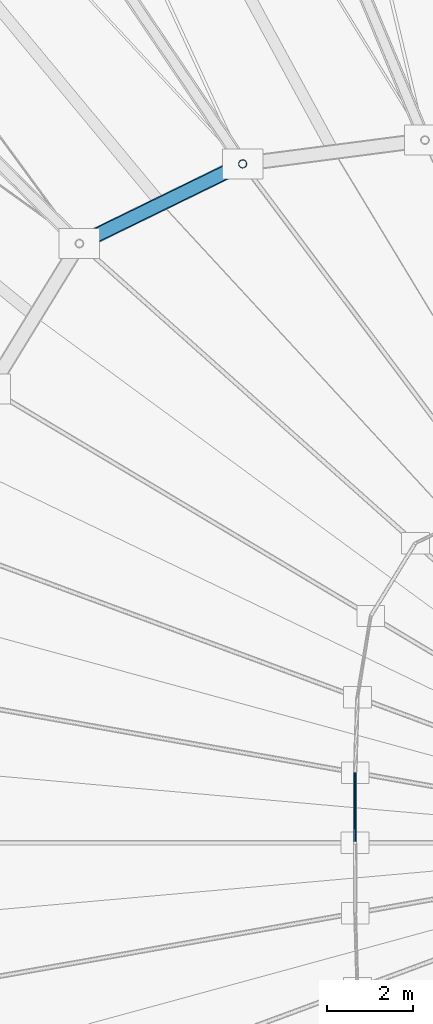
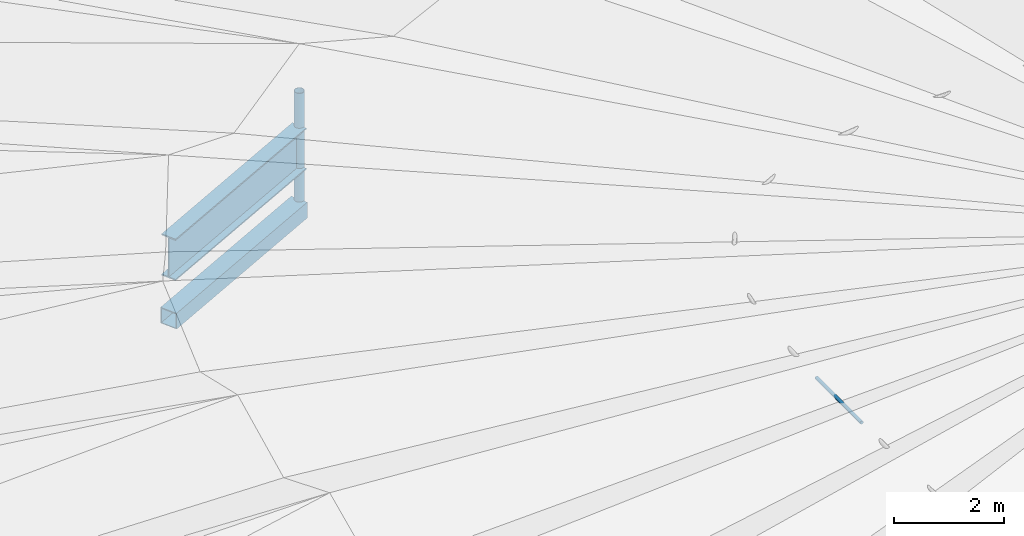
# One storey, part 12 of 41: 3 members, 1 beam.
"""IFC4 building model written with IfcOpenShell, lengths in metres."""

from ifc_helpers import new_model, si_unit, direction, frame, origin, origin_2d, place, context, subcontext, project, spatial, hollow_rectangle, circle, hollow_circle, i_section, extrude, material, material_profile, profile_set, type_object, element, save


model = new_model("IFC4")

# Units and contexts
model_context = context("Model", 3, precision=1e-05, world=origin(), true_north=direction((0.0, 1.0)))
body_context = subcontext(model_context, "Body", "Model", "MODEL_VIEW")
ifc_project = project(units=[si_unit("LENGTHUNIT", "METRE"), si_unit("AREAUNIT", "SQUARE_METRE"), si_unit("VOLUMEUNIT", "CUBIC_METRE"), si_unit("PLANEANGLEUNIT", "RADIAN"), si_unit("MASSUNIT", "GRAM", prefix="KILO")], contexts=[model_context])

# Site, building, storey
site_placement = place(None, origin())
site = spatial("IfcSite", under=ifc_project, at=site_placement, CompositionType="ELEMENT")
building_placement = place(site_placement, origin())
building = spatial("IfcBuilding", under=site, at=building_placement, Name="Luwafu Chhajja Arena", CompositionType="ELEMENT")
storey_placement = place(building_placement, frame((0.0, 0.0, 29.699951171875)))
storey = spatial("IfcBuildingStorey", under=building, at=storey_placement, Name="RF", CompositionType="ELEMENT", Elevation=29.699951171875)

# Member
ifc_material_1 = material(Name="Steel S355", Category="steel")
ifc_material_profile_1 = material_profile(ifc_material_1, hollow_circle(Radius=0.096923828125, WallThickness=0.008056640625, at=origin_2d()), Name="CHS 193.7x8")
ifc_profile_set_1 = profile_set([ifc_material_profile_1], Name="Steel S355")
member_type_1 = type_object("IfcMemberType", Name="Folded Pleat Tie Strut CHS 194", PredefinedType="BRACE", material=ifc_profile_set_1)
member_1_placement = place(storey_placement, frame((87.125732421875, 65.35009765625, 4.10009765625), z_axis=(0.0, 0.0, 1.0), x_axis=(1.0, 0.0, 0.0)))
element("IfcMember", 1, at=member_1_placement, inside=storey, type_object=member_type_1, Name="Roof Inner Ring Truss Web IRW-12", PredefinedType="BRACE", context=body_context, shape_type="SweptSolid", body=[
    extrude(hollow_circle(Radius=0.096923828125, WallThickness=0.008056640625, at=origin_2d()), origin(), (0.0, 0.0, 1.0), 2.579833984375),
])

# Beam
ifc_material_profile_2 = material_profile(ifc_material_1, i_section(OverallWidth=0.305419921875, OverallDepth=0.91845703125, WebThickness=0.017333984375, FlangeThickness=0.02783203125, at=origin_2d()), Name="UB 914x305x253")
ifc_profile_set_2 = profile_set([ifc_material_profile_2], Name="Steel S355")
beam_type = type_object("IfcBeamType", Name="Inner Tension Ring Girder UB 914x305x253", PredefinedType="BEAM", material=ifc_profile_set_2)
beam_placement = place(storey_placement, frame((87.125732421875, 65.35009765625, 5.449951171875), z_axis=(-0.898657766994, -0.438650450611, 0.0), x_axis=(0.438650450611, -0.898657766994, 0.0)))
element("IfcBeam", 2, at=beam_placement, inside=storey, type_object=beam_type, Name="Roof Inner Tension Ring Beam IR-12", PredefinedType="BEAM", context=body_context, shape_type="SweptSolid", body=[
    extrude(i_section(OverallWidth=0.305419921875, OverallDepth=0.91845703125, WebThickness=0.017333984375, FlangeThickness=0.02783203125, at=origin_2d()), origin(), (0.0, 0.0, 1.0), 4.240966796875),
])

# Members
ifc_material_2 = material(Name="Steel S460", Category="steel")
ifc_material_profile_3 = material_profile(ifc_material_2, circle(Radius=0.034912109375, at=origin_2d()), Name="CABLE D70")
ifc_profile_set_3 = profile_set([ifc_material_profile_3], Name="Steel S460")
member_type_2 = type_object("IfcMemberType", Name="Oculus Secondary Tie Cable D70", PredefinedType="USERDEFINED", material=ifc_profile_set_3)
member_2_placement = place(storey_placement, frame((89.75244140625, 51.140625, 8.02001953125), z_axis=(-0.00148809359, -0.999998892788, 0.0), x_axis=(0.999998892788, -0.00148809359, 0.0)))
element("IfcMember", 3, at=member_2_placement, inside=storey, type_object=member_type_2, Name="Cable net hoop cable CBH-16", ObjectType="CABLE", PredefinedType="USERDEFINED", context=body_context, shape_type="SweptSolid", body=[
    extrude(circle(Radius=0.034912109375, at=origin_2d()), origin(), (0.0, 0.0, 1.0), 1.640625),
])
ifc_material_profile_4 = material_profile(ifc_material_1, hollow_rectangle(XDim=0.35009765625, YDim=0.35009765625, WallThickness=0.01611328125, at=origin_2d()), Name="SHS 350x350x16")
ifc_profile_set_4 = profile_set([ifc_material_profile_4], Name="Steel S355")
member_type_3 = type_object("IfcMemberType", Name="Ring Stabilizing Truss Chord SHS 350", PredefinedType="CHORD", material=ifc_profile_set_4)
member_3_placement = place(storey_placement, frame((87.125732421875, 65.35009765625, 4.10009765625), z_axis=(-0.898657766994, -0.438650450611, 0.0), x_axis=(0.438650450611, -0.898657766994, 0.0)))
element("IfcMember", 4, at=member_3_placement, inside=storey, type_object=member_type_3, Name="Roof Inner Stabilizing Ring Chord IRC-12", PredefinedType="CHORD", context=body_context, shape_type="SweptSolid", body=[
    extrude(hollow_rectangle(XDim=0.35009765625, YDim=0.35009765625, WallThickness=0.01611328125, at=origin_2d()), origin(), (0.0, 0.0, 1.0), 4.240966796875),
])

save(model, "model.ifc")
